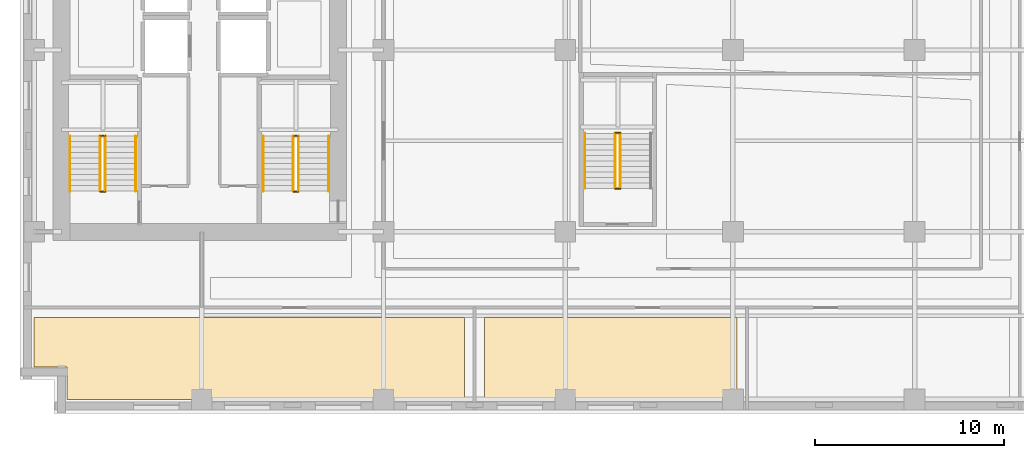
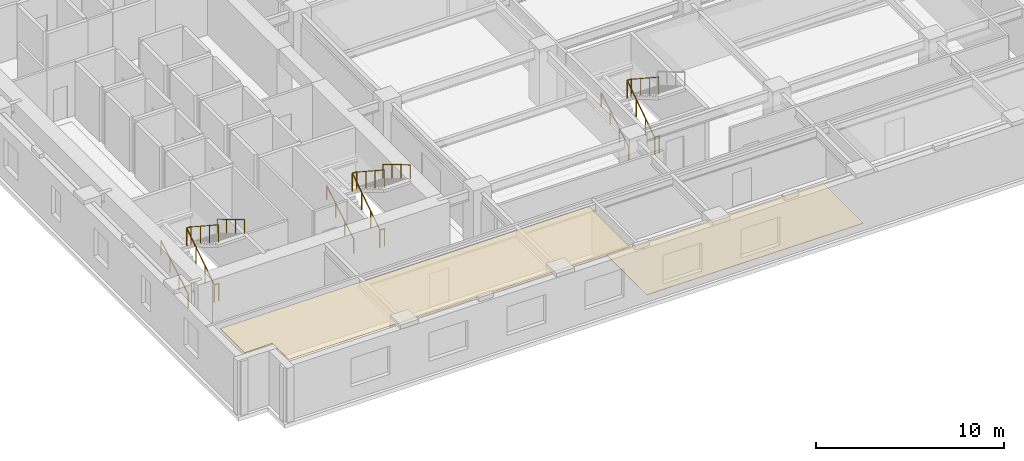
# One storey, part 9 of 13: 17 railings, 2 coverings.
"""IFC4 building model written with IfcOpenShell, lengths in metres."""

from ifc_helpers import new_model, si_unit, direction, frame, origin, origin_2d, place, context, subcontext, project, spatial, polyline, circle, outline, extrude, material, layer, layer_set, type_object, element, save


model = new_model("IFC4")

# Units and contexts
model_context = context("Model", 3, precision=1e-05, world=origin(), true_north=direction((0.0, 1.0)))
body_context = subcontext(model_context, "Body", "Model", "MODEL_VIEW")
ifc_project = project(units=[si_unit("LENGTHUNIT", "METRE"), si_unit("AREAUNIT", "SQUARE_METRE"), si_unit("VOLUMEUNIT", "CUBIC_METRE"), si_unit("PLANEANGLEUNIT", "RADIAN"), si_unit("MASSUNIT", "GRAM", prefix="KILO")], contexts=[model_context])

# Site, building, storey
site_placement = place(None, origin())
site = spatial("IfcSite", under=ifc_project, at=site_placement, CompositionType="ELEMENT")
building_placement = place(site_placement, origin())
building = spatial("IfcBuilding", under=site, at=building_placement, Name="Norrvale University Quadrangle", CompositionType="ELEMENT")
storey_placement = place(building_placement, frame((0.0, 0.0, 66.0)))
storey = spatial("IfcBuildingStorey", under=building, at=storey_placement, Name="L16", CompositionType="ELEMENT", Elevation=66.0)

# Coverings
ifc_material_1 = material(Name="Perforated Acoustic Mineral Ceiling")
ifc_layer_1 = layer(ifc_material_1, 0.02490234375, Name="Perforated Acoustic Mineral Ceiling")
ifc_layer_set_1 = layer_set([ifc_layer_1], Name="Perforated Acoustic Mineral Ceiling")
covering_type_1 = type_object("IfcCoveringType", Name="Covering Acoustic Ceiling 25", PredefinedType="CEILING", material=ifc_layer_set_1)
covering_1_placement = place(storey_placement, frame((0.0, 0.0, 3.514892578125)))
element("IfcCovering", 1, at=covering_1_placement, inside=storey, type_object=covering_type_1, Name="Acoustic Ceiling RM-L16-S01", PredefinedType="CEILING", context=body_context, shape_type="SweptSolid", body=[
    extrude(outline(polyline([(0.75, 5.070068359375), (23.469970703125, 5.070068359375), (23.469970703125, 0.75), (2.469970703125, 0.75), (2.469970703125, 2.469970703125), (0.75, 2.469970703125), (0.75, 5.070068359375)])), origin(), (0.0, 0.0, 1.0), 0.025146484375),
])
ifc_material_2 = material(Name="Polished Terrazzo Flooring")
ifc_layer_2 = layer(ifc_material_2, 0.02490234375, Name="Polished Terrazzo Flooring")
ifc_layer_set_2 = layer_set([ifc_layer_2], Name="Polished Terrazzo Flooring")
covering_type_2 = type_object("IfcCoveringType", Name="Covering Terrazzo Floor 30", PredefinedType="FLOORING", material=ifc_layer_set_2)
covering_2_placement = place(storey_placement, origin())
element("IfcCovering", 2, at=covering_2_placement, inside=storey, type_object=covering_type_2, Name="Terrazzo Flooring RM-L16-S02", PredefinedType="FLOORING", context=body_context, shape_type="SweptSolid", body=[
    extrude(outline(polyline([(24.530029296875, 5.070068359375), (37.8701171875, 5.070068359375), (37.8701171875, 0.75), (24.530029296875, 0.75), (24.530029296875, 5.070068359375)])), origin(), (0.0, 0.0, 1.0), 0.02490234375),
])

# Railings
ifc_material_3 = material(Name="Steel 350W Painted Balustrade", Category="steel")
railing_type_1 = type_object("IfcRailingType", Name="Railing Stair Guard 1100", PredefinedType="GUARDRAIL", material=ifc_material_3)
for number, where, name in (
    (3, (4.239990234375, 11.719970703125, 0.0), "Stair Floor Well Guard ST-01 L16"),
    (4, (4.239990234375, 14.679931640625, 1.89990234375), "Stair Mid-Landing Slot Guard ST-01 L16"),
):
    element("IfcRailing", number, at=place(storey_placement, frame(where)), inside=storey, type_object=railing_type_1, Name=name, PredefinedType="GUARDRAIL", context=body_context, shape_type="SweptSolid", body=[
        extrude(circle(Radius=0.02392578125, at=origin_2d()), frame((0.0, 0.0, 1.1259765625), z_axis=(1.0, 0.0, 0.0), x_axis=(0.0, 1.0, 0.0)), (0.0, 0.0, 1.0), 0.27001953125),
        extrude(circle(Radius=0.02099609375, at=origin_2d()), origin(), (0.0, 0.0, 1.0), 1.101806640625),
        extrude(circle(Radius=0.02099609375, at=origin_2d()), frame((0.27001953125, 0.0, 0.0)), (0.0, 0.0, 1.0), 1.101806640625),
    ])
railing_1_placement = place(storey_placement, frame((4.239990234375, 11.75, 0.0)))
element("IfcRailing", 5, at=railing_1_placement, inside=storey, type_object=railing_type_1, Name="Stair Lower Flight Inner Guard ST-01 L16", PredefinedType="GUARDRAIL", context=body_context, shape_type="SweptSolid", body=[
    extrude(circle(Radius=0.02392578125, at=origin_2d()), frame((0.0, 0.0, 1.1259765625), z_axis=(0.0, 0.836465582154, 0.548019461216), x_axis=(-1.0, 0.0, 0.0)), (0.0, 0.0, 1.0), 3.466796875),
    extrude(circle(Radius=0.02099609375, at=origin_2d()), origin(), (0.0, 0.0, 1.0), 1.101806640625),
    extrude(circle(Radius=0.02099609375, at=origin_2d()), frame((0.0, 0.966552734375, 0.63330078125)), (0.0, 0.0, 1.0), 1.101806640625),
    extrude(circle(Radius=0.02099609375, at=origin_2d()), frame((0.0, 1.933349609375, 1.2666015625)), (0.0, 0.0, 1.0), 1.101806640625),
    extrude(circle(Radius=0.02099609375, at=origin_2d()), frame((0.0, 2.89990234375, 1.89990234375)), (0.0, 0.0, 1.0), 1.101806640625),
])
railing_2_placement = place(storey_placement, frame((4.510009765625, 14.64990234375, 1.89990234375)))
element("IfcRailing", 6, at=railing_2_placement, inside=storey, type_object=railing_type_1, Name="Stair Upper Flight Inner Guard ST-01 L16", PredefinedType="GUARDRAIL", context=body_context, shape_type="SweptSolid", body=[
    extrude(circle(Radius=0.02392578125, at=origin_2d()), frame((0.0, 0.0, 1.1259765625), z_axis=(0.0, -0.836433300813, 0.548068730445), x_axis=(1.0, 0.0, 0.0)), (0.0, 0.0, 1.0), 3.467041015625),
    extrude(circle(Radius=0.02099609375, at=origin_2d()), origin(), (0.0, 0.0, 1.0), 1.101806640625),
    extrude(circle(Radius=0.02099609375, at=origin_2d()), frame((0.0, -0.966552734375, 0.63330078125)), (0.0, 0.0, 1.0), 1.101806640625),
    extrude(circle(Radius=0.02099609375, at=origin_2d()), frame((0.0, -1.933349609375, 1.266845703125)), (0.0, 0.0, 1.0), 1.101806640625),
    extrude(circle(Radius=0.02099609375, at=origin_2d()), frame((0.0, -2.89990234375, 1.900146484375)), (0.0, 0.0, 1.0), 1.101806640625),
])
for number, where, name in (
    (7, (14.43994140625, 11.719970703125, 0.0), "Stair Floor Well Guard ST-03 L16"),
    (8, (14.43994140625, 14.679931640625, 1.89990234375), "Stair Mid-Landing Slot Guard ST-03 L16"),
):
    element("IfcRailing", number, at=place(storey_placement, frame(where)), inside=storey, type_object=railing_type_1, Name=name, PredefinedType="GUARDRAIL", context=body_context, shape_type="SweptSolid", body=[
        extrude(circle(Radius=0.02392578125, at=origin_2d()), frame((0.0, 0.0, 1.1259765625), z_axis=(1.0, 0.0, 0.0), x_axis=(0.0, 1.0, 0.0)), (0.0, 0.0, 1.0), 0.27001953125),
        extrude(circle(Radius=0.02099609375, at=origin_2d()), origin(), (0.0, 0.0, 1.0), 1.101806640625),
        extrude(circle(Radius=0.02099609375, at=origin_2d()), frame((0.27001953125, 0.0, 0.0)), (0.0, 0.0, 1.0), 1.101806640625),
    ])
railing_3_placement = place(storey_placement, frame((14.43994140625, 11.75, 0.0)))
element("IfcRailing", 9, at=railing_3_placement, inside=storey, type_object=railing_type_1, Name="Stair Lower Flight Inner Guard ST-03 L16", PredefinedType="GUARDRAIL", context=body_context, shape_type="SweptSolid", body=[
    extrude(circle(Radius=0.02392578125, at=origin_2d()), frame((0.0, 0.0, 1.1259765625), z_axis=(0.0, 0.836465582154, 0.548019461216), x_axis=(-1.0, 0.0, 0.0)), (0.0, 0.0, 1.0), 3.466796875),
    extrude(circle(Radius=0.02099609375, at=origin_2d()), origin(), (0.0, 0.0, 1.0), 1.101806640625),
    extrude(circle(Radius=0.02099609375, at=origin_2d()), frame((0.0, 0.966552734375, 0.63330078125)), (0.0, 0.0, 1.0), 1.101806640625),
    extrude(circle(Radius=0.02099609375, at=origin_2d()), frame((0.0, 1.933349609375, 1.2666015625)), (0.0, 0.0, 1.0), 1.101806640625),
    extrude(circle(Radius=0.02099609375, at=origin_2d()), frame((0.0, 2.89990234375, 1.89990234375)), (0.0, 0.0, 1.0), 1.101806640625),
])
railing_4_placement = place(storey_placement, frame((14.7099609375, 14.64990234375, 1.89990234375)))
element("IfcRailing", 10, at=railing_4_placement, inside=storey, type_object=railing_type_1, Name="Stair Upper Flight Inner Guard ST-03 L16", PredefinedType="GUARDRAIL", context=body_context, shape_type="SweptSolid", body=[
    extrude(circle(Radius=0.02392578125, at=origin_2d()), frame((0.0, 0.0, 1.1259765625), z_axis=(0.0, -0.836433300813, 0.548068730445), x_axis=(1.0, 0.0, 0.0)), (0.0, 0.0, 1.0), 3.467041015625),
    extrude(circle(Radius=0.02099609375, at=origin_2d()), origin(), (0.0, 0.0, 1.0), 1.101806640625),
    extrude(circle(Radius=0.02099609375, at=origin_2d()), frame((0.0, -0.966552734375, 0.63330078125)), (0.0, 0.0, 1.0), 1.101806640625),
    extrude(circle(Radius=0.02099609375, at=origin_2d()), frame((0.0, -1.933349609375, 1.266845703125)), (0.0, 0.0, 1.0), 1.101806640625),
    extrude(circle(Radius=0.02099609375, at=origin_2d()), frame((0.0, -2.89990234375, 1.900146484375)), (0.0, 0.0, 1.0), 1.101806640625),
])
for number, where, name in (
    (11, (31.43994140625, 11.8701171875, 0.0), "Stair Floor Well Guard ST-04 L16"),
    (12, (31.43994140625, 14.830078125, 1.89990234375), "Stair Mid-Landing Slot Guard ST-04 L16"),
):
    element("IfcRailing", number, at=place(storey_placement, frame(where)), inside=storey, type_object=railing_type_1, Name=name, PredefinedType="GUARDRAIL", context=body_context, shape_type="SweptSolid", body=[
        extrude(circle(Radius=0.02392578125, at=origin_2d()), frame((0.0, 0.0, 1.1259765625), z_axis=(1.0, 0.0, 0.0), x_axis=(0.0, 1.0, 0.0)), (0.0, 0.0, 1.0), 0.27001953125),
        extrude(circle(Radius=0.02099609375, at=origin_2d()), origin(), (0.0, 0.0, 1.0), 1.101806640625),
        extrude(circle(Radius=0.02099609375, at=origin_2d()), frame((0.27001953125, 0.0, 0.0)), (0.0, 0.0, 1.0), 1.101806640625),
    ])
railing_5_placement = place(storey_placement, frame((31.43994140625, 11.89990234375, 0.0)))
element("IfcRailing", 13, at=railing_5_placement, inside=storey, type_object=railing_type_1, Name="Stair Lower Flight Inner Guard ST-04 L16", PredefinedType="GUARDRAIL", context=body_context, shape_type="SweptSolid", body=[
    extrude(circle(Radius=0.02392578125, at=origin_2d()), frame((0.0, 0.0, 1.1259765625), z_axis=(0.0, 0.836486729621, 0.547987181573), x_axis=(-1.0, 0.0, 0.0)), (0.0, 0.0, 1.0), 3.467041015625),
    extrude(circle(Radius=0.02099609375, at=origin_2d()), origin(), (0.0, 0.0, 1.0), 1.101806640625),
    extrude(circle(Radius=0.02099609375, at=origin_2d()), frame((0.0, 0.966796875, 0.63330078125)), (0.0, 0.0, 1.0), 1.101806640625),
    extrude(circle(Radius=0.02099609375, at=origin_2d()), frame((0.0, 1.933349609375, 1.2666015625)), (0.0, 0.0, 1.0), 1.101806640625),
    extrude(circle(Radius=0.02099609375, at=origin_2d()), frame((0.0, 2.900146484375, 1.89990234375)), (0.0, 0.0, 1.0), 1.101806640625),
])
railing_6_placement = place(storey_placement, frame((31.7099609375, 14.800048828125, 1.89990234375)))
element("IfcRailing", 14, at=railing_6_placement, inside=storey, type_object=railing_type_1, Name="Stair Upper Flight Inner Guard ST-04 L16", PredefinedType="GUARDRAIL", context=body_context, shape_type="SweptSolid", body=[
    extrude(circle(Radius=0.02392578125, at=origin_2d()), frame((0.0, 0.0, 1.1259765625), z_axis=(0.0, -0.836454451266, 0.548036450392), x_axis=(1.0, 0.0, 0.0)), (0.0, 0.0, 1.0), 3.46728515625),
    extrude(circle(Radius=0.02099609375, at=origin_2d()), origin(), (0.0, 0.0, 1.0), 1.101806640625),
    extrude(circle(Radius=0.02099609375, at=origin_2d()), frame((0.0, -0.966796875, 0.63330078125)), (0.0, 0.0, 1.0), 1.101806640625),
    extrude(circle(Radius=0.02099609375, at=origin_2d()), frame((0.0, -1.933349609375, 1.266845703125)), (0.0, 0.0, 1.0), 1.101806640625),
    extrude(circle(Radius=0.02099609375, at=origin_2d()), frame((0.0, -2.900146484375, 1.900146484375)), (0.0, 0.0, 1.0), 1.101806640625),
])
ifc_material_4 = material(Name="Stainless Steel 316L Handrail", Category="steel")
railing_type_2 = type_object("IfcRailingType", Name="Railing Stair Handrail 920", PredefinedType="HANDRAIL", material=ifc_material_4)
railing_7_placement = place(storey_placement, frame((2.639892578125, 11.75, 0.172607421875)))
element("IfcRailing", 15, at=railing_7_placement, inside=storey, type_object=railing_type_2, Name="Stair Lower Flight Handrail ST-01 L16", PredefinedType="HANDRAIL", context=body_context, shape_type="SweptSolid", body=[
    extrude(circle(Radius=0.02392578125, at=origin_2d()), frame((0.0, 0.0, 0.89599609375), z_axis=(0.0, 0.859141464434, 0.511738159696), x_axis=(-1.0, 0.0, 0.0)), (0.0, 0.0, 1.0), 3.375244140625),
    extrude(circle(Radius=0.02099609375, at=origin_2d()), origin(), (0.0, 0.0, 1.0), 0.871826171875),
    extrude(circle(Radius=0.02099609375, at=origin_2d()), frame((0.0, 0.966552734375, 0.57568359375)), (0.0, 0.0, 1.0), 0.871826171875),
    extrude(circle(Radius=0.02099609375, at=origin_2d()), frame((0.0, 1.933349609375, 1.151611328125)), (0.0, 0.0, 1.0), 0.871826171875),
    extrude(circle(Radius=0.02099609375, at=origin_2d()), frame((0.0, 2.89990234375, 1.727294921875)), (0.0, 0.0, 1.0), 0.871826171875),
])
railing_8_placement = place(storey_placement, frame((6.110107421875, 14.64990234375, 2.07275390625)))
element("IfcRailing", 16, at=railing_8_placement, inside=storey, type_object=railing_type_2, Name="Stair Upper Flight Handrail ST-01 L16", PredefinedType="HANDRAIL", context=body_context, shape_type="SweptSolid", body=[
    extrude(circle(Radius=0.02392578125, at=origin_2d()), frame((0.0, 0.0, 0.89599609375), z_axis=(0.0, -0.859141464434, 0.511738159696), x_axis=(1.0, 0.0, 0.0)), (0.0, 0.0, 1.0), 3.375244140625),
    extrude(circle(Radius=0.02099609375, at=origin_2d()), origin(), (0.0, 0.0, 1.0), 0.871826171875),
    extrude(circle(Radius=0.02099609375, at=origin_2d()), frame((0.0, -0.966552734375, 0.57568359375)), (0.0, 0.0, 1.0), 0.871826171875),
    extrude(circle(Radius=0.02099609375, at=origin_2d()), frame((0.0, -1.933349609375, 1.151611328125)), (0.0, 0.0, 1.0), 0.871826171875),
    extrude(circle(Radius=0.02099609375, at=origin_2d()), frame((0.0, -2.89990234375, 1.727294921875)), (0.0, 0.0, 1.0), 0.871826171875),
])
railing_9_placement = place(storey_placement, frame((12.840087890625, 11.75, 0.172607421875)))
element("IfcRailing", 17, at=railing_9_placement, inside=storey, type_object=railing_type_2, Name="Stair Lower Flight Handrail ST-03 L16", PredefinedType="HANDRAIL", context=body_context, shape_type="SweptSolid", body=[
    extrude(circle(Radius=0.02392578125, at=origin_2d()), frame((0.0, 0.0, 0.89599609375), z_axis=(0.0, 0.859141464434, 0.511738159696), x_axis=(-1.0, 0.0, 0.0)), (0.0, 0.0, 1.0), 3.375244140625),
    extrude(circle(Radius=0.02099609375, at=origin_2d()), origin(), (0.0, 0.0, 1.0), 0.871826171875),
    extrude(circle(Radius=0.02099609375, at=origin_2d()), frame((0.0, 0.966552734375, 0.57568359375)), (0.0, 0.0, 1.0), 0.871826171875),
    extrude(circle(Radius=0.02099609375, at=origin_2d()), frame((0.0, 1.933349609375, 1.151611328125)), (0.0, 0.0, 1.0), 0.871826171875),
    extrude(circle(Radius=0.02099609375, at=origin_2d()), frame((0.0, 2.89990234375, 1.727294921875)), (0.0, 0.0, 1.0), 0.871826171875),
])
railing_10_placement = place(storey_placement, frame((16.31005859375, 14.64990234375, 2.07275390625)))
element("IfcRailing", 18, at=railing_10_placement, inside=storey, type_object=railing_type_2, Name="Stair Upper Flight Handrail ST-03 L16", PredefinedType="HANDRAIL", context=body_context, shape_type="SweptSolid", body=[
    extrude(circle(Radius=0.02392578125, at=origin_2d()), frame((0.0, 0.0, 0.89599609375), z_axis=(0.0, -0.859141464434, 0.511738159696), x_axis=(1.0, 0.0, 0.0)), (0.0, 0.0, 1.0), 3.375244140625),
    extrude(circle(Radius=0.02099609375, at=origin_2d()), origin(), (0.0, 0.0, 1.0), 0.871826171875),
    extrude(circle(Radius=0.02099609375, at=origin_2d()), frame((0.0, -0.966552734375, 0.57568359375)), (0.0, 0.0, 1.0), 0.871826171875),
    extrude(circle(Radius=0.02099609375, at=origin_2d()), frame((0.0, -1.933349609375, 1.151611328125)), (0.0, 0.0, 1.0), 0.871826171875),
    extrude(circle(Radius=0.02099609375, at=origin_2d()), frame((0.0, -2.89990234375, 1.727294921875)), (0.0, 0.0, 1.0), 0.871826171875),
])
railing_11_placement = place(storey_placement, frame((29.840087890625, 11.89990234375, 0.172607421875)))
element("IfcRailing", 19, at=railing_11_placement, inside=storey, type_object=railing_type_2, Name="Stair Lower Flight Handrail ST-04 L16", PredefinedType="HANDRAIL", context=body_context, shape_type="SweptSolid", body=[
    extrude(circle(Radius=0.02392578125, at=origin_2d()), frame((0.0, 0.0, 0.89599609375), z_axis=(0.0, 0.859160404282, 0.51170636083), x_axis=(-1.0, 0.0, 0.0)), (0.0, 0.0, 1.0), 3.37548828125),
    extrude(circle(Radius=0.02099609375, at=origin_2d()), origin(), (0.0, 0.0, 1.0), 0.871826171875),
    extrude(circle(Radius=0.02099609375, at=origin_2d()), frame((0.0, 0.966796875, 0.57568359375)), (0.0, 0.0, 1.0), 0.871826171875),
    extrude(circle(Radius=0.02099609375, at=origin_2d()), frame((0.0, 1.933349609375, 1.151611328125)), (0.0, 0.0, 1.0), 0.871826171875),
    extrude(circle(Radius=0.02099609375, at=origin_2d()), frame((0.0, 2.900146484375, 1.727294921875)), (0.0, 0.0, 1.0), 0.871826171875),
])

save(model, "model.ifc")
